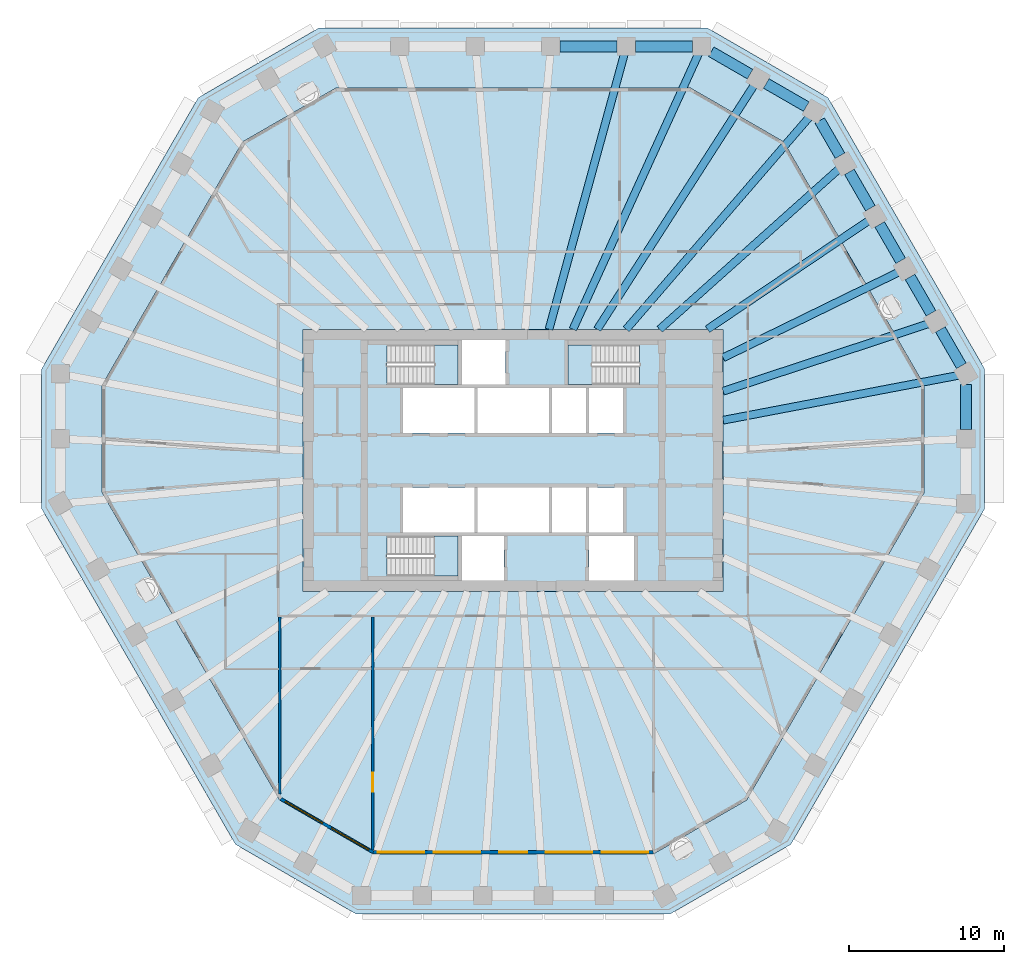
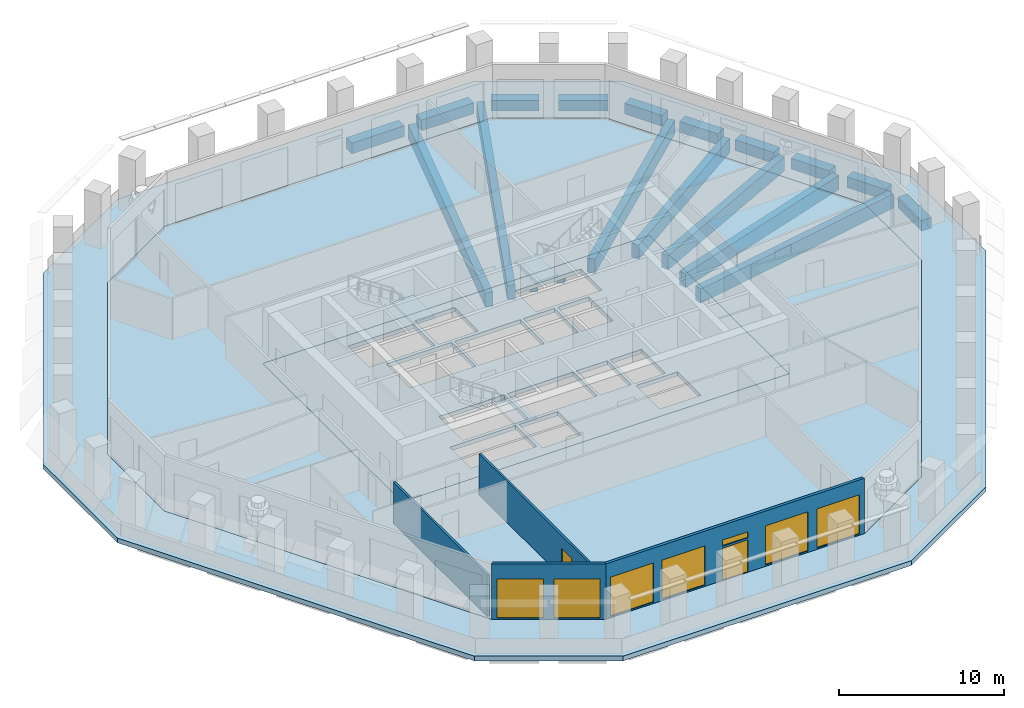
# One storey, part 2 of 12: 19 beams, 7 windows, 6 slabs, 4 walls, 2 doors, 9 openings, 3 elements without a shape of their own.
"""IFC4 building model written with IfcOpenShell, lengths in metres."""

from ifc_helpers import new_model, si_unit, direction, frame, frame_2d, origin, origin_2d, place, context, subcontext, project, spatial, polyline, rectangle, outline, extrude, material, layer, layer_set, material_profile, profile_set, type_object, element, fill, aggregate, save


model = new_model("IFC4")

# Units and contexts
model_context = context("Model", 3, precision=1e-05, world=origin(), true_north=direction((0.0, 1.0)))
body_context = subcontext(model_context, "Body", "Model", "MODEL_VIEW")
ifc_project = project(units=[si_unit("LENGTHUNIT", "METRE"), si_unit("AREAUNIT", "SQUARE_METRE"), si_unit("VOLUMEUNIT", "CUBIC_METRE"), si_unit("PLANEANGLEUNIT", "RADIAN"), si_unit("MASSUNIT", "GRAM", prefix="KILO")], contexts=[model_context])

# Site, building, storey
site_placement = place(None, origin())
site = spatial("IfcSite", under=ifc_project, at=site_placement, CompositionType="ELEMENT")
building_placement = place(site_placement, origin())
building = spatial("IfcBuilding", under=site, at=building_placement, Name="Frailejon Research Tower", CompositionType="ELEMENT")
storey_placement = place(building_placement, frame((0.0, 0.0, 189.199951171875)))
storey = spatial("IfcBuildingStorey", under=building, at=storey_placement, Name="L41", CompositionType="ELEMENT", Elevation=189.199951171875)

# Beams
ifc_material_1 = material(Name="Concrete C60/75", Category="concrete")
ifc_material_profile_1 = material_profile(ifc_material_1, rectangle(XDim=0.5, YDim=1.050048828125, at=origin_2d()), Name="Girder 500x1050")
ifc_profile_set_1 = profile_set([ifc_material_profile_1], Name="Concrete C60/75")
beam_type_1 = type_object("IfcBeamType", Name="Girder 500x1050", PredefinedType="BEAM", material=ifc_profile_set_1)
beam_1_placement = place(storey_placement, frame((28.734375, 5.4794921875, -0.824951171875), z_axis=(-0.982299838323, -0.187315316062, 0.0), x_axis=(0.187315316062, -0.982299838323, 0.0)))
element("IfcBeam", 1, at=beam_1_placement, inside=storey, type_object=beam_type_1, Name="Girder 500x1050", PredefinedType="BEAM", context=body_context, shape_type="SweptSolid", body=[
    extrude(rectangle(XDim=0.5, YDim=1.050048828125, at=origin_2d()), origin(), (0.0, 0.0, 1.0), 15.4580078125),
])
beam_2_placement = place(storey_placement, frame((26.81494140625, 8.814208984375, -0.824951171875), z_axis=(-0.949991667334, -0.312275250374, 0.0), x_axis=(0.312275250374, -0.949991667334, 0.0)))
element("IfcBeam", 2, at=beam_2_placement, inside=storey, type_object=beam_type_1, Name="Girder 500x1050", PredefinedType="BEAM", context=body_context, shape_type="SweptSolid", body=[
    extrude(rectangle(XDim=0.5, YDim=1.050048828125, at=origin_2d()), origin(), (0.0, 0.0, 1.0), 13.963134765625),
])
beam_3_placement = place(storey_placement, frame((24.892822265625, 12.149169921875, -0.824951171875), z_axis=(-0.898680124008, -0.438604645111, 0.0), x_axis=(0.438604645111, -0.898680124008, 0.0)))
element("IfcBeam", 3, at=beam_3_placement, inside=storey, type_object=beam_type_1, Name="Girder 500x1050", PredefinedType="BEAM", context=body_context, shape_type="SweptSolid", body=[
    extrude(rectangle(XDim=0.5, YDim=1.050048828125, at=origin_2d()), origin(), (0.0, 0.0, 1.0), 12.62158203125),
])
beam_4_placement = place(storey_placement, frame((22.968017578125, 15.483154296875, -0.824951171875), z_axis=(-0.829191550788, -0.55896455353, 0.0), x_axis=(0.55896455353, -0.829191550788, 0.0)))
element("IfcBeam", 4, at=beam_4_placement, inside=storey, type_object=beam_type_1, Name="Girder 500x1050", PredefinedType="BEAM", context=body_context, shape_type="SweptSolid", body=[
    extrude(rectangle(XDim=0.5, YDim=1.050048828125, at=origin_2d()), origin(), (0.0, 0.0, 1.0), 12.58251953125),
])
beam_5_placement = place(storey_placement, frame((21.040771484375, 18.8154296875, -0.824951171875), z_axis=(-0.745423192946, -0.666591526663, 0.0), x_axis=(0.666591526663, -0.745423192946, 0.0)))
element("IfcBeam", 5, at=beam_5_placement, inside=storey, type_object=beam_type_1, Name="Girder 500x1050", PredefinedType="BEAM", context=body_context, shape_type="SweptSolid", body=[
    extrude(rectangle(XDim=0.5, YDim=1.050048828125, at=origin_2d()), origin(), (0.0, 0.0, 1.0), 15.550048828125),
])
beam_6_placement = place(storey_placement, frame((19.12841796875, 22.16357421875, -0.824951171875), z_axis=(-0.653362627521, -0.757045095723, 0.0), x_axis=(0.757045095723, -0.653362627521, 0.0)))
element("IfcBeam", 6, at=beam_6_placement, inside=storey, type_object=beam_type_1, Name="Girder 500x1050", PredefinedType="BEAM", context=body_context, shape_type="SweptSolid", body=[
    extrude(rectangle(XDim=0.5, YDim=1.050048828125, at=origin_2d()), origin(), (0.0, 0.0, 1.0), 18.11474609375),
])
beam_7_placement = place(storey_placement, frame((15.5595703125, 24.22705078125, -0.824951171875), z_axis=(-0.540385728464, -0.841417413935, 0.0), x_axis=(0.841417413935, -0.540385728464, 0.0)))
element("IfcBeam", 7, at=beam_7_placement, inside=storey, type_object=beam_type_1, Name="Girder 500x1050", PredefinedType="BEAM", context=body_context, shape_type="SweptSolid", body=[
    extrude(rectangle(XDim=0.5, YDim=1.050048828125, at=origin_2d()), origin(), (0.0, 0.0, 1.0), 18.750732421875),
])
beam_8_placement = place(storey_placement, frame((11.965087890625, 26.236572265625, -0.824951171875), z_axis=(-0.414936441672, -0.909850399446, 0.0), x_axis=(0.909850399446, -0.414936441672, 0.0)))
element("IfcBeam", 8, at=beam_8_placement, inside=storey, type_object=beam_type_1, Name="Girder 500x1050", PredefinedType="BEAM", context=body_context, shape_type="SweptSolid", body=[
    extrude(rectangle(XDim=0.5, YDim=1.050048828125, at=origin_2d()), origin(), (0.0, 0.0, 1.0), 19.549072265625),
])
beam_9_placement = place(storey_placement, frame((7.181396484375, 26.24462890625, -0.824951171875), z_axis=(-0.26392689173, -0.964542687402, 0.0), x_axis=(0.964542687402, -0.26392689173, 0.0)))
element("IfcBeam", 9, at=beam_9_placement, inside=storey, type_object=beam_type_1, Name="Girder 500x1050", PredefinedType="BEAM", context=body_context, shape_type="SweptSolid", body=[
    extrude(rectangle(XDim=0.5, YDim=1.050048828125, at=origin_2d()), origin(), (0.0, 0.0, 1.0), 18.44873046875),
])
ifc_material_2 = material(Name="Concrete C60/75", Category="concrete")
ifc_material_profile_2 = material_profile(ifc_material_2, rectangle(XDim=0.699951171875, YDim=0.800048828125, at=origin_2d()), Name="Spandrel 700x800")
ifc_profile_set_2 = profile_set([ifc_material_profile_2], Name="Concrete C60/75")
beam_type_2 = type_object("IfcBeamType", Name="Spandrel 700x800", PredefinedType="BEAM", material=ifc_profile_set_2)
beam_10_placement = place(storey_placement, frame((29.211181640625, 1.98291015625, -0.75), z_axis=(0.0, 1.0, 0.0), x_axis=(-1.0, 0.0, 0.0)))
element("IfcBeam", 10, at=beam_10_placement, inside=storey, type_object=beam_type_2, Name="Spandrel 700x800", PredefinedType="BEAM", context=body_context, shape_type="SweptSolid", body=[
    extrude(rectangle(XDim=0.699951171875, YDim=0.800048828125, at=origin_2d()), origin(), (0.0, 0.0, 1.0), 2.89453125),
])
for number, where, z_axis, x_axis, name in (
    (11, (28.9111328125, 6.08984375, -0.75), (-0.500010688608, 0.866019232626, 0.0), (-0.866019232626, -0.500010688608, 0.0), "Spandrel 700x800"),
    (12, (26.954833984375, 9.478271484375, -0.75), (-0.500010688608, 0.866019232626, 0.0), (-0.866019232626, -0.500010688608, 0.0), "Spandrel 700x800"),
    (13, (24.99853515625, 12.86669921875, -0.75), (-0.500010688608, 0.866019232626, 0.0), (-0.866019232626, -0.500010688608, 0.0), "Spandrel 700x800"),
    (14, (23.042236328125, 16.255126953125, -0.75), (-0.500010688608, 0.866019232626, 0.0), (-0.866019232626, -0.500010688608, 0.0), "Spandrel 700x800"),
):
    element("IfcBeam", number, at=place(storey_placement, frame(where, z_axis=z_axis, x_axis=x_axis)), inside=storey, type_object=beam_type_2, Name=name, PredefinedType="BEAM", context=body_context, shape_type="SweptSolid", body=[
        extrude(rectangle(XDim=0.699951171875, YDim=0.800048828125, at=origin_2d()), origin(), (0.0, 0.0, 1.0), 2.712890625),
    ])
beam_11_placement = place(storey_placement, frame((21.0859375, 19.6435546875, -0.75), z_axis=(-0.500047801172, 0.865997804006, 0.0), x_axis=(-0.865997804006, -0.500047801172, 0.0)))
element("IfcBeam", 15, at=beam_11_placement, inside=storey, type_object=beam_type_2, Name="Spandrel 700x800", PredefinedType="BEAM", context=body_context, shape_type="SweptSolid", body=[
    extrude(rectangle(XDim=0.699951171875, YDim=0.800048828125, at=origin_2d()), origin(), (0.0, 0.0, 1.0), 2.619873046875),
])
beam_12_placement = place(storey_placement, frame((18.909912109375, 22.8125, -0.75), z_axis=(-0.86603180189, 0.499988917992, 0.0), x_axis=(-0.499988917992, -0.86603180189, 0.0)))
element("IfcBeam", 16, at=beam_12_placement, inside=storey, type_object=beam_type_2, Name="Spandrel 700x800", PredefinedType="BEAM", context=body_context, shape_type="SweptSolid", body=[
    extrude(rectangle(XDim=0.699951171875, YDim=0.800048828125, at=origin_2d()), origin(), (0.0, 0.0, 1.0), 2.9873046875),
])
beam_13_placement = place(storey_placement, frame((15.283447265625, 24.90625, -0.75), z_axis=(-0.866033897268, 0.499985288567, 0.0), x_axis=(-0.499985288567, -0.866033897268, 0.0)))
element("IfcBeam", 17, at=beam_13_placement, inside=storey, type_object=beam_type_2, Name="Spandrel 700x800", PredefinedType="BEAM", context=body_context, shape_type="SweptSolid", body=[
    extrude(rectangle(XDim=0.699951171875, YDim=0.800048828125, at=origin_2d()), origin(), (0.0, 0.0, 1.0), 2.89453125),
])
for number, where, z_axis, x_axis, name in (
    (18, (11.576416015625, 26.699951171875, -0.75), (-1.0, 0.0, 0.0), (0.0, -1.0, 0.0), "Spandrel 700x800"),
    (19, (6.705810546875, 26.699951171875, -0.75), (-1.0, 0.0, 0.0), (0.0, -1.0, 0.0), "Spandrel 700x800"),
):
    element("IfcBeam", number, at=place(storey_placement, frame(where, z_axis=z_axis, x_axis=x_axis)), inside=storey, type_object=beam_type_2, Name=name, PredefinedType="BEAM", context=body_context, shape_type="SweptSolid", body=[
        extrude(rectangle(XDim=0.699951171875, YDim=0.800048828125, at=origin_2d()), origin(), (0.0, 0.0, 1.0), 3.67041015625),
    ])

# Slabs
ifc_material_3 = material(Name="Concrete C60/75", Category="concrete")
ifc_layer_1 = layer(ifc_material_3, 0.300048828125)
ifc_layer_set_1 = layer_set([ifc_layer_1], Name="Core floor slab 300 C60/75")
slab_type_1 = type_object("IfcSlabType", Name="Core floor slab 300 C60/75", PredefinedType="FLOOR", material=ifc_layer_set_1)
slab_1_placement = place(storey_placement, frame((0.0, 0.0, -0.300048828125)))
element("IfcSlab", 20, at=slab_1_placement, inside=storey, type_object=slab_type_1, Name="Core floor slab", PredefinedType="FLOOR", context=body_context, shape_type="SweptSolid", body=[
    extrude(outline(polyline([(13.550048828125, -8.449951171875), (13.550048828125, 8.449951171875), (-13.550048828125, 8.449951171875), (-13.550048828125, -8.449951171875), (13.550048828125, -8.449951171875)]), holes=[polyline([(-2.5, 1.75), (-2.5, 4.64990234375), (-7.10009765625, 4.64990234375), (-7.10009765625, 1.75), (-2.5, 1.75)]), polyline([(2.300048828125, 1.75), (2.300048828125, 4.64990234375), (-2.300048828125, 4.64990234375), (-2.300048828125, 1.75), (2.300048828125, 1.75)]), polyline([(4.699951171875, 1.75), (4.699951171875, 4.64990234375), (2.5, 4.64990234375), (2.5, 1.75), (4.699951171875, 1.75)]), polyline([(7.10009765625, 1.75), (7.10009765625, 4.64990234375), (4.89990234375, 4.64990234375), (4.89990234375, 1.75), (7.10009765625, 1.75)]), polyline([(-2.5, -4.64990234375), (-2.5, -1.75), (-7.10009765625, -1.75), (-7.10009765625, -4.64990234375), (-2.5, -4.64990234375)]), polyline([(2.300048828125, -4.64990234375), (2.300048828125, -1.75), (-2.300048828125, -1.75), (-2.300048828125, -4.64990234375), (2.300048828125, -4.64990234375)]), polyline([(4.699951171875, -4.64990234375), (4.699951171875, -1.75), (2.5, -1.75), (2.5, -4.64990234375), (4.699951171875, -4.64990234375)]), polyline([(7.10009765625, -4.64990234375), (7.10009765625, -1.75), (4.89990234375, -1.75), (4.89990234375, -4.64990234375), (7.10009765625, -4.64990234375)]), polyline([(-8.14697265625, 4.89990234375), (-3.550048828125, 4.89990234375), (-3.550048828125, 7.449951171875), (-8.14697265625, 7.449951171875), (-8.14697265625, 4.89990234375)]), polyline([(-8.14697265625, -7.449951171875), (-3.550048828125, -7.449951171875), (-3.550048828125, -4.89990234375), (-8.14697265625, -4.89990234375), (-8.14697265625, -7.449951171875)]), polyline([(8.14697265625, 7.449951171875), (3.550048828125, 7.449951171875), (3.550048828125, 4.89990234375), (8.14697265625, 4.89990234375), (8.14697265625, 7.449951171875)]), polyline([(-0.60009765625, -7.75), (-0.60009765625, -4.89990234375), (-3.300048828125, -4.89990234375), (-3.300048828125, -7.75), (-0.60009765625, -7.75)]), polyline([(7.800048828125, -7.75), (7.800048828125, -4.89990234375), (4.89990234375, -4.89990234375), (4.89990234375, -7.75), (7.800048828125, -7.75)]), polyline([(-0.5, 4.89990234375), (-0.5, 7.75), (-3.300048828125, 7.75), (-3.300048828125, 4.89990234375), (-0.5, 4.89990234375)])]), origin(), (0.0, 0.0, 1.0), 0.300048828125),
])
ifc_material_4 = material(Name="Concrete C40/50", Category="concrete")
ifc_layer_2 = layer(ifc_material_4, 0.35009765625)
ifc_layer_set_2 = layer_set([ifc_layer_2], Name="Loggia slab 350")
slab_type_2 = type_object("IfcSlabType", Name="Loggia slab 350", PredefinedType="USERDEFINED", material=ifc_layer_set_2)
slab_2_placement = place(storey_placement, frame((0.0, 0.0, -0.349853515625)))
element("IfcSlab", 21, at=slab_2_placement, inside=storey, type_object=slab_type_2, Name="Loggia slab L41", ObjectType="LOGGIA", PredefinedType="USERDEFINED", context=body_context, shape_type="SweptSolid", body=[
    extrude(outline(polyline([(17.9130859375, -24.773681640625), (10.10302734375, -29.28271484375), (-10.10302734375, -29.28271484375), (-17.9130859375, -24.773681640625), (-30.4111328125, -3.126220703125), (-30.4111328125, 5.891845703125), (-20.30810546875, 23.390869140625), (-12.498046875, 27.89990234375), (12.498046875, 27.89990234375), (20.30810546875, 23.390869140625), (30.4111328125, 5.891845703125), (30.4111328125, -3.126220703125), (17.9130859375, -24.773681640625)]), holes=[polyline([(26.510986328125, 4.846923828125), (17.453125, 20.535888671875), (11.453125, 24.0), (-11.453125, 24.0), (-17.453125, 20.535888671875), (-26.510986328125, 4.846923828125), (-26.510986328125, -2.081298828125), (-15.05810546875, -21.918701171875), (-9.05810546875, -25.3828125), (9.05810546875, -25.3828125), (15.05810546875, -21.918701171875), (26.510986328125, -2.081298828125), (26.510986328125, 4.846923828125)])]), origin(), (0.0, 0.0, 1.0), 0.349853515625),
])
ifc_material_5 = material(Name="Concrete C40/50", Category="concrete")
ifc_layer_3 = layer(ifc_material_5, 0.300048828125)
ifc_layer_set_3 = layer_set([ifc_layer_3], Name="Slab typical 300")
slab_type_3 = type_object("IfcSlabType", Name="Slab typical 300", PredefinedType="FLOOR", material=ifc_layer_set_3)
slab_3_placement = place(storey_placement, frame((0.0, 0.0, -0.300048828125)))
element("IfcSlab", 22, at=slab_3_placement, inside=storey, type_object=slab_type_3, Name="Floor slab L41", PredefinedType="FLOOR", context=body_context, shape_type="SweptSolid", body=[
    extrude(outline(polyline([(26.510986328125, -2.081298828125), (26.510986328125, 4.846923828125), (17.453125, 20.535888671875), (11.453125, 24.0), (-11.453125, 24.0), (-17.453125, 20.535888671875), (-26.510986328125, 4.846923828125), (-26.510986328125, -2.081298828125), (-15.05810546875, -21.918701171875), (-9.05810546875, -25.3828125), (9.05810546875, -25.3828125), (15.05810546875, -21.918701171875), (26.510986328125, -2.081298828125)]), holes=[polyline([(13.550048828125, -8.449951171875), (-13.550048828125, -8.449951171875), (-13.550048828125, 8.449951171875), (13.550048828125, 8.449951171875), (13.550048828125, -8.449951171875)])]), origin(), (0.0, 0.0, 1.0), 0.300048828125),
])

# Stair, slab
ifc_material_6 = material(Name="Concrete C50/60", Category="concrete")
stair_type = type_object("IfcStairType", Name="Exit stair 24 risers", PredefinedType="HALF_TURN_STAIR", material=ifc_material_6)
stair_1_placement = place(storey_placement, origin())
stair_1 = element("IfcStair", 23, at=stair_1_placement, inside=storey, type_object=stair_type, Name="L41 Exit stair ST1", PredefinedType="HALF_TURN_STAIR")
ifc_material_7 = material(Name="Concrete C50/60", Category="concrete")
ifc_layer_4 = layer(ifc_material_7, 0.199951171875)
ifc_layer_set_4 = layer_set([ifc_layer_4], Name="Stair landing slab 200")
slab_type_4 = type_object("IfcSlabType", Name="Stair landing slab 200", PredefinedType="LANDING", material=ifc_layer_set_4)
slab_4_placement = place(storey_placement, frame((0.0, 0.0, 2.0)))
slab_4 = element("IfcSlab", 24, at=slab_4_placement, type_object=slab_type_4, Name="ST1 landing 1", PredefinedType="LANDING", context=body_context, shape_type="SweptSolid", body=[
    extrude(outline(polyline([(-5.070068359375, 4.89990234375), (-3.550048828125, 4.89990234375), (-3.550048828125, 7.449951171875), (-5.070068359375, 7.449951171875), (-5.070068359375, 4.89990234375)])), origin(), (0.0, 0.0, 1.0), 0.199951171875),
])
aggregate(stair_1, [slab_4])

stair_2_placement = place(storey_placement, origin())
stair_2 = element("IfcStair", 25, at=stair_2_placement, inside=storey, type_object=stair_type, Name="L41 Exit stair ST2", PredefinedType="HALF_TURN_STAIR")
slab_5_placement = place(storey_placement, frame((0.0, 0.0, 2.0)))
slab_5 = element("IfcSlab", 26, at=slab_5_placement, type_object=slab_type_4, Name="ST2 landing 1", PredefinedType="LANDING", context=body_context, shape_type="SweptSolid", body=[
    extrude(outline(polyline([(-5.070068359375, -7.449951171875), (-3.550048828125, -7.449951171875), (-3.550048828125, -4.89990234375), (-5.070068359375, -4.89990234375), (-5.070068359375, -7.449951171875)])), origin(), (0.0, 0.0, 1.0), 0.199951171875),
])
aggregate(stair_2, [slab_5])

stair_3_placement = place(storey_placement, origin())
stair_3 = element("IfcStair", 27, at=stair_3_placement, inside=storey, type_object=stair_type, Name="L41 Exit stair ST3", PredefinedType="HALF_TURN_STAIR")
slab_6_placement = place(storey_placement, frame((0.0, 0.0, 2.0)))
slab_6 = element("IfcSlab", 28, at=slab_6_placement, type_object=slab_type_4, Name="ST3 landing 1", PredefinedType="LANDING", context=body_context, shape_type="SweptSolid", body=[
    extrude(outline(polyline([(5.070068359375, 7.449951171875), (3.550048828125, 7.449951171875), (3.550048828125, 4.89990234375), (5.070068359375, 4.89990234375), (5.070068359375, 7.449951171875)])), origin(), (0.0, 0.0, 1.0), 0.199951171875),
])
aggregate(stair_3, [slab_6])

# Wall
ifc_material_8 = material(Name="Gypsum board and masonry partition", Category="masonry")
ifc_layer_5 = layer(ifc_material_8, 0.14990234375)
ifc_layer_set_5 = layer_set([ifc_layer_5], Name="Laboratory partition, blockwork 150")
wall_type_1 = type_object("IfcWallType", Name="Laboratory partition, blockwork 150", PredefinedType="PARTITIONING", material=ifc_layer_set_5)
wall_1_placement = place(storey_placement, frame((-15.05810546875, -21.518798828125, 0.0), z_axis=(0.0, 0.0, 1.0), x_axis=(0.0, 1.0, 0.0)))
element("IfcWall", 29, at=wall_1_placement, inside=storey, type_object=wall_type_1, Name="T:IW:L41:018", PredefinedType="PARTITIONING", context=body_context, shape_type="SweptSolid", body=[
    extrude(rectangle(XDim=11.393798828125, YDim=0.14990234375, at=frame_2d((5.69677734375, 0.0))), origin(), (0.0, 0.0, 1.0), 3.050048828125),
])

# Wall, opening, door
wall_2_placement = place(storey_placement, frame((-9.05810546875, -25.15185546875, 0.0), z_axis=(0.0, 0.0, 1.0), x_axis=(0.0, 1.0, 0.0)))
wall_2 = element("IfcWall", 30, at=wall_2_placement, inside=storey, type_object=wall_type_1, Name="T:IW:L41:020", PredefinedType="PARTITIONING", context=body_context, shape_type="SweptSolid", body=[
    extrude(rectangle(XDim=15.02685546875, YDim=0.14990234375, at=frame_2d((7.513427734375, 0.0))), origin(), (0.0, 0.0, 1.0), 3.050048828125),
])
opening_1_placement = place(wall_2_placement, frame((3.780517578125, 0.0, 0.0)))
opening_1 = element("IfcOpeningElement", 31, at=opening_1_placement, cuts=wall_2, Name="Opening D1896", PredefinedType="OPENING", context=body_context, shape_type="SweptSolid", body=[
    extrude(rectangle(XDim=1.199951171875, YDim=2.10009765625, at=frame_2d((0.60009765625, 1.050048828125))), frame((0.0, 0.0849609375, 0.0), z_axis=(0.0, -1.0, 0.0), x_axis=(1.0, 0.0, 0.0)), (0.0, 0.0, 1.0), 0.169921875),
])
ifc_material_9 = material(Name="Timber door leaf", Category="wood")
door_type_1 = type_object("IfcDoorType", Name="Door laboratory, timber, vision panel 1200", OperationType="NOTDEFINED", PredefinedType="DOOR", material=ifc_material_9)
door_1_placement = place(opening_1_placement, origin())
door_1 = element("IfcDoor", 32, at=door_1_placement, inside=storey, type_object=door_type_1, Name="D1896", OperationType="DOUBLE_DOOR_SINGLE_SWING", OverallHeight=2.10009765625, OverallWidth=1.199951171875, PredefinedType="DOOR", context=body_context, shape_type="SweptSolid", body=[
    extrude(rectangle(XDim=1.199951171875, YDim=2.10009765625, at=frame_2d((0.60009765625, 1.050048828125))), frame((0.0, 0.02490234375, 0.0), z_axis=(0.0, -1.0, 0.0), x_axis=(1.0, 0.0, 0.0)), (0.0, 0.0, 1.0), 0.050048828125),
])
fill(opening_1, door_1)

# Wall, openings, windows
ifc_material_10 = material(Name="Concrete C40/50 precast window wall panel", Category="concrete")
ifc_layer_6 = layer(ifc_material_10, 0.199951171875)
ifc_layer_set_6 = layer_set([ifc_layer_6], Name="Window wall 200")
wall_type_2 = type_object("IfcWallType", Name="Window wall 200", PredefinedType="SOLIDWALL", material=ifc_layer_set_6)
wall_3_placement = place(storey_placement, frame((-14.98486328125, -21.845458984375, 0.0), z_axis=(0.0, 0.0, 1.0), x_axis=(0.866029458321, -0.49999297727, 0.0)))
wall_3 = element("IfcWall", 33, at=wall_3_placement, inside=storey, type_object=wall_type_2, Name="Exterior wall L41", PredefinedType="SOLIDWALL", context=body_context, shape_type="SweptSolid", body=[
    extrude(outline(polyline([(-0.02685546875, -0.10009765625), (1.1279296875, -0.10009765625), (2.282470703125, -0.10009765625), (3.437255859375, -0.10009765625), (4.592041015625, -0.10009765625), (5.74658203125, -0.10009765625), (6.9013671875, -0.10009765625), (6.84765625, 0.10009765625), (5.7109375, 0.10009765625), (4.573974609375, 0.10009765625), (3.437255859375, 0.10009765625), (2.300537109375, 0.10009765625), (1.16357421875, 0.10009765625), (0.02685546875, 0.10009765625), (-0.02685546875, -0.10009765625)])), origin(), (0.0, 0.0, 1.0), 4.10009765625),
])
opening_2_placement = place(wall_3_placement, frame((0.318603515625, 0.0, 0.10009765625)))
opening_2 = element("IfcOpeningElement", 34, at=opening_2_placement, cuts=wall_3, Name="Opening W3", PredefinedType="OPENING", context=body_context, shape_type="SweptSolid", body=[
    extrude(rectangle(XDim=2.800048828125, YDim=2.89990234375, at=frame_2d((1.39990234375, 1.449951171875))), frame((0.0, 0.10986328125, 0.0), z_axis=(0.0, -1.0, 0.0), x_axis=(1.0, 0.0, 0.0)), (0.0, 0.0, 1.0), 0.219970703125),
])
opening_3_placement = place(wall_3_placement, frame((3.756103515625, 0.0, 0.10009765625)))
opening_3 = element("IfcOpeningElement", 35, at=opening_3_placement, cuts=wall_3, Name="Opening W3", PredefinedType="OPENING", context=body_context, shape_type="SweptSolid", body=[
    extrude(rectangle(XDim=2.800048828125, YDim=2.89990234375, at=frame_2d((1.39990234375, 1.449951171875))), frame((0.0, 0.10986328125, 0.0), z_axis=(0.0, -1.0, 0.0), x_axis=(1.0, 0.0, 0.0)), (0.0, 0.0, 1.0), 0.219970703125),
])
ifc_material_11 = material(Name="Aluminium framed double glazing", Category="aluminium")
window_type_1 = type_object("IfcWindowType", Name="Window 2800x2900", PartitioningType="SINGLE_PANEL", PredefinedType="WINDOW", material=ifc_material_11)
window_1_placement = place(opening_2_placement, origin())
window_1 = element("IfcWindow", 36, at=window_1_placement, inside=storey, type_object=window_type_1, Name="Window L41", OverallHeight=2.89990234375, OverallWidth=2.800048828125, PartitioningType="SINGLE_PANEL", PredefinedType="WINDOW", context=body_context, shape_type="SweptSolid", body=[
    extrude(rectangle(XDim=2.800048828125, YDim=2.89990234375, at=frame_2d((1.39990234375, 1.449951171875))), frame((0.0, 0.030029296875, 0.0), z_axis=(0.0, -1.0, 0.0), x_axis=(1.0, 0.0, 0.0)), (0.0, 0.0, 1.0), 0.06005859375),
])
fill(opening_2, window_1)
window_2_placement = place(opening_3_placement, origin())
window_2 = element("IfcWindow", 37, at=window_2_placement, inside=storey, type_object=window_type_1, Name="Window L41", OverallHeight=2.89990234375, OverallWidth=2.800048828125, PartitioningType="SINGLE_PANEL", PredefinedType="WINDOW", context=body_context, shape_type="SweptSolid", body=[
    extrude(rectangle(XDim=2.800048828125, YDim=2.89990234375, at=frame_2d((1.39990234375, 1.449951171875))), frame((0.0, 0.030029296875, 0.0), z_axis=(0.0, -1.0, 0.0), x_axis=(1.0, 0.0, 0.0)), (0.0, 0.0, 1.0), 0.06005859375),
])
fill(opening_3, window_2)

# Wall, openings, door, windows
wall_4_placement = place(storey_placement, frame((-9.03125, -25.28271484375, 0.0), z_axis=(0.0, 0.0, 1.0), x_axis=(1.0, 0.0, 0.0)))
wall_4 = element("IfcWall", 38, at=wall_4_placement, inside=storey, type_object=wall_type_2, Name="Exterior wall L41", PredefinedType="SOLIDWALL", context=body_context, shape_type="SweptSolid", body=[
    extrude(outline(polyline([(-0.02685546875, -0.10009765625), (0.9794921875, -0.10009765625), (1.986083984375, -0.10009765625), (2.992431640625, -0.10009765625), (3.9990234375, -0.10009765625), (5.00537109375, -0.10009765625), (6.011962890625, -0.10009765625), (7.018310546875, -0.10009765625), (8.02490234375, -0.10009765625), (9.03125, -0.10009765625), (10.03759765625, -0.10009765625), (11.044189453125, -0.10009765625), (12.050537109375, -0.10009765625), (13.05712890625, -0.10009765625), (14.0634765625, -0.10009765625), (15.070068359375, -0.10009765625), (16.076416015625, -0.10009765625), (17.0830078125, -0.10009765625), (18.08935546875, -0.10009765625), (18.03564453125, 0.10009765625), (17.03515625, 0.10009765625), (16.03466796875, 0.10009765625), (15.0341796875, 0.10009765625), (14.03369140625, 0.10009765625), (13.033203125, 0.10009765625), (12.03271484375, 0.10009765625), (11.0322265625, 0.10009765625), (10.03173828125, 0.10009765625), (9.03125, 0.10009765625), (8.03076171875, 0.10009765625), (7.0302734375, 0.10009765625), (6.02978515625, 0.10009765625), (5.029296875, 0.10009765625), (4.02880859375, 0.10009765625), (3.0283203125, 0.10009765625), (2.02783203125, 0.10009765625), (1.02734375, 0.10009765625), (0.02685546875, 0.10009765625), (-0.02685546875, -0.10009765625)])), origin(), (0.0, 0.0, 1.0), 4.10009765625),
])
opening_4_placement = place(wall_4_placement, frame((0.306396484375, 0.0, 0.10009765625)))
opening_4 = element("IfcOpeningElement", 39, at=opening_4_placement, cuts=wall_4, Name="Opening W4", PredefinedType="OPENING", context=body_context, shape_type="SweptSolid", body=[
    extrude(rectangle(XDim=3.0, YDim=2.89990234375, at=frame_2d((1.5, 1.449951171875))), frame((0.0, 0.10986328125, 0.0), z_axis=(0.0, -1.0, 0.0), x_axis=(1.0, 0.0, 0.0)), (0.0, 0.0, 1.0), 0.219970703125),
])
opening_5_placement = place(wall_4_placement, frame((3.918701171875, 0.0, 0.10009765625)))
opening_5 = element("IfcOpeningElement", 40, at=opening_5_placement, cuts=wall_4, Name="Opening W4", PredefinedType="OPENING", context=body_context, shape_type="SweptSolid", body=[
    extrude(rectangle(XDim=3.0, YDim=2.89990234375, at=frame_2d((1.5, 1.449951171875))), frame((0.0, 0.10986328125, 0.0), z_axis=(0.0, -1.0, 0.0), x_axis=(1.0, 0.0, 0.0)), (0.0, 0.0, 1.0), 0.219970703125),
])
opening_6_placement = place(wall_4_placement, frame((8.13134765625, 0.0, 0.0)))
opening_6 = element("IfcOpeningElement", 41, at=opening_6_placement, cuts=wall_4, Name="Opening LG41-5", PredefinedType="OPENING", context=body_context, shape_type="SweptSolid", body=[
    extrude(rectangle(XDim=1.800048828125, YDim=2.39990234375, at=frame_2d((0.89990234375, 1.199951171875))), frame((0.0, 0.10986328125, 0.0), z_axis=(0.0, -1.0, 0.0), x_axis=(1.0, 0.0, 0.0)), (0.0, 0.0, 1.0), 0.219970703125),
])
opening_7_placement = place(wall_4_placement, frame((8.13134765625, 0.0, 2.550048828125)))
opening_7 = element("IfcOpeningElement", 42, at=opening_7_placement, cuts=wall_4, Name="Opening W1", PredefinedType="OPENING", context=body_context, shape_type="SweptSolid", body=[
    extrude(rectangle(XDim=1.800048828125, YDim=0.449951171875, at=frame_2d((0.89990234375, 0.22509765625))), frame((0.0, 0.10986328125, 0.0), z_axis=(0.0, -1.0, 0.0), x_axis=(1.0, 0.0, 0.0)), (0.0, 0.0, 1.0), 0.219970703125),
])
opening_8_placement = place(wall_4_placement, frame((11.143798828125, 0.0, 0.10009765625)))
opening_8 = element("IfcOpeningElement", 43, at=opening_8_placement, cuts=wall_4, Name="Opening W4", PredefinedType="OPENING", context=body_context, shape_type="SweptSolid", body=[
    extrude(rectangle(XDim=3.0, YDim=2.89990234375, at=frame_2d((1.5, 1.449951171875))), frame((0.0, 0.10986328125, 0.0), z_axis=(0.0, -1.0, 0.0), x_axis=(1.0, 0.0, 0.0)), (0.0, 0.0, 1.0), 0.219970703125),
])
opening_9_placement = place(wall_4_placement, frame((14.75634765625, 0.0, 0.10009765625)))
opening_9 = element("IfcOpeningElement", 44, at=opening_9_placement, cuts=wall_4, Name="Opening W4", PredefinedType="OPENING", context=body_context, shape_type="SweptSolid", body=[
    extrude(rectangle(XDim=3.0, YDim=2.89990234375, at=frame_2d((1.5, 1.449951171875))), frame((0.0, 0.10986328125, 0.0), z_axis=(0.0, -1.0, 0.0), x_axis=(1.0, 0.0, 0.0)), (0.0, 0.0, 1.0), 0.219970703125),
])
ifc_material_12 = material(Name="Aluminium framed glazed door leaf", Category="aluminium")
door_type_2 = type_object("IfcDoorType", Name="Loggia door 1800x2400", OperationType="DOUBLE_DOOR_SINGLE_SWING", PredefinedType="DOOR", material=ifc_material_12)
door_2_placement = place(opening_6_placement, origin())
door_2 = element("IfcDoor", 45, at=door_2_placement, inside=storey, type_object=door_type_2, Name="Door LG41-5", OperationType="DOUBLE_DOOR_SINGLE_SWING", OverallHeight=2.39990234375, OverallWidth=1.800048828125, PredefinedType="DOOR", context=body_context, shape_type="SweptSolid", body=[
    extrude(rectangle(XDim=1.800048828125, YDim=2.39990234375, at=frame_2d((0.89990234375, 1.199951171875))), frame((0.0, 0.02490234375, 0.0), z_axis=(0.0, -1.0, 0.0), x_axis=(1.0, 0.0, 0.0)), (0.0, 0.0, 1.0), 0.050048828125),
])
fill(opening_6, door_2)
ifc_material_13 = material(Name="Aluminium framed double glazing", Category="aluminium")
window_type_2 = type_object("IfcWindowType", Name="Window 1800x450", PartitioningType="SINGLE_PANEL", PredefinedType="WINDOW", material=ifc_material_13)
window_3_placement = place(opening_7_placement, origin())
window_3 = element("IfcWindow", 46, at=window_3_placement, inside=storey, type_object=window_type_2, Name="Window L41", OverallHeight=0.449951171875, OverallWidth=1.800048828125, PartitioningType="SINGLE_PANEL", PredefinedType="WINDOW", context=body_context, shape_type="SweptSolid", body=[
    extrude(rectangle(XDim=1.800048828125, YDim=0.449951171875, at=frame_2d((0.89990234375, 0.22509765625))), frame((0.0, 0.030029296875, 0.0), z_axis=(0.0, -1.0, 0.0), x_axis=(1.0, 0.0, 0.0)), (0.0, 0.0, 1.0), 0.06005859375),
])
fill(opening_7, window_3)
ifc_material_14 = material(Name="Aluminium framed double glazing", Category="aluminium")
window_type_3 = type_object("IfcWindowType", Name="Window 3000x2900", PartitioningType="SINGLE_PANEL", PredefinedType="WINDOW", material=ifc_material_14)
window_4_placement = place(opening_4_placement, origin())
window_4 = element("IfcWindow", 47, at=window_4_placement, inside=storey, type_object=window_type_3, Name="Window L41", OverallHeight=2.89990234375, OverallWidth=3.0, PartitioningType="SINGLE_PANEL", PredefinedType="WINDOW", context=body_context, shape_type="SweptSolid", body=[
    extrude(rectangle(XDim=3.0, YDim=2.89990234375, at=frame_2d((1.5, 1.449951171875))), frame((0.0, 0.030029296875, 0.0), z_axis=(0.0, -1.0, 0.0), x_axis=(1.0, 0.0, 0.0)), (0.0, 0.0, 1.0), 0.06005859375),
])
fill(opening_4, window_4)
window_5_placement = place(opening_5_placement, origin())
window_5 = element("IfcWindow", 48, at=window_5_placement, inside=storey, type_object=window_type_3, Name="Window L41", OverallHeight=2.89990234375, OverallWidth=3.0, PartitioningType="SINGLE_PANEL", PredefinedType="WINDOW", context=body_context, shape_type="SweptSolid", body=[
    extrude(rectangle(XDim=3.0, YDim=2.89990234375, at=frame_2d((1.5, 1.449951171875))), frame((0.0, 0.030029296875, 0.0), z_axis=(0.0, -1.0, 0.0), x_axis=(1.0, 0.0, 0.0)), (0.0, 0.0, 1.0), 0.06005859375),
])
fill(opening_5, window_5)
window_6_placement = place(opening_8_placement, origin())
window_6 = element("IfcWindow", 49, at=window_6_placement, inside=storey, type_object=window_type_3, Name="Window L41", OverallHeight=2.89990234375, OverallWidth=3.0, PartitioningType="SINGLE_PANEL", PredefinedType="WINDOW", context=body_context, shape_type="SweptSolid", body=[
    extrude(rectangle(XDim=3.0, YDim=2.89990234375, at=frame_2d((1.5, 1.449951171875))), frame((0.0, 0.030029296875, 0.0), z_axis=(0.0, -1.0, 0.0), x_axis=(1.0, 0.0, 0.0)), (0.0, 0.0, 1.0), 0.06005859375),
])
fill(opening_8, window_6)
window_7_placement = place(opening_9_placement, origin())
window_7 = element("IfcWindow", 50, at=window_7_placement, inside=storey, type_object=window_type_3, Name="Window L41", OverallHeight=2.89990234375, OverallWidth=3.0, PartitioningType="SINGLE_PANEL", PredefinedType="WINDOW", context=body_context, shape_type="SweptSolid", body=[
    extrude(rectangle(XDim=3.0, YDim=2.89990234375, at=frame_2d((1.5, 1.449951171875))), frame((0.0, 0.030029296875, 0.0), z_axis=(0.0, -1.0, 0.0), x_axis=(1.0, 0.0, 0.0)), (0.0, 0.0, 1.0), 0.06005859375),
])
fill(opening_9, window_7)

save(model, "model.ifc")
